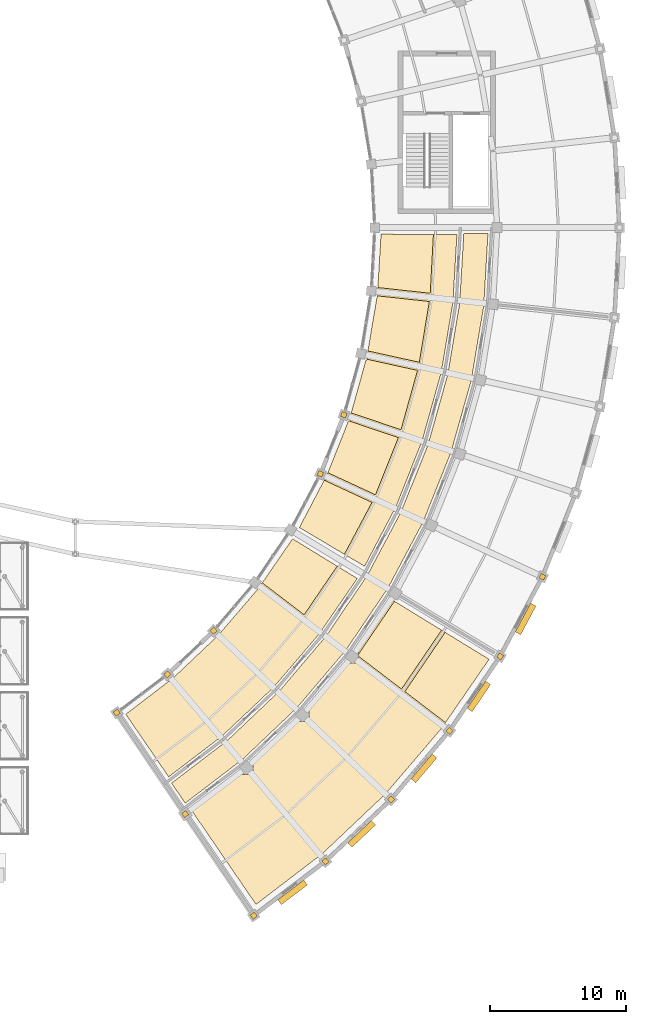
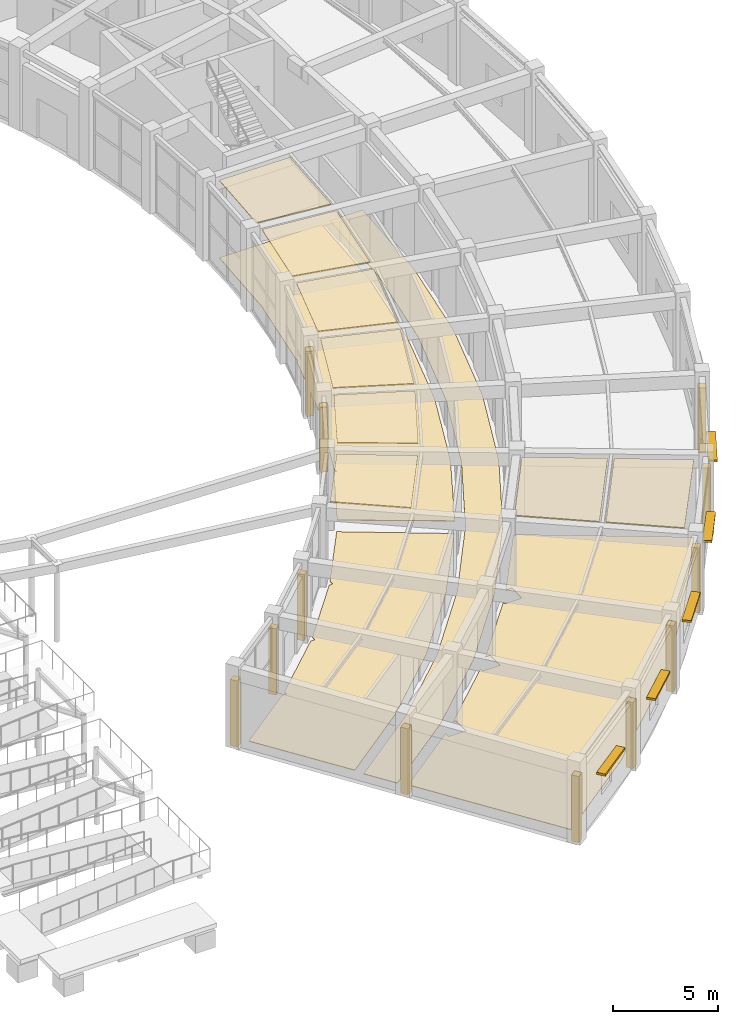
# One storey, part 106 of 108: 24 coverings, 5 shading devices.
"""IFC4 building model written with IfcOpenShell, lengths in metres."""

from ifc_helpers import new_model, si_unit, direction, frame, origin, origin_2d, place, context, subcontext, project, spatial, polyline, rectangle, outline, extrude, material, layer, layer_set, type_object, element, save


model = new_model("IFC4")

# Units and contexts
model_context = context("Model", 3, precision=1e-05, world=origin(), true_north=direction((0.0, 1.0)))
body_context = subcontext(model_context, "Body", "Model", "MODEL_VIEW")
ifc_project = project(units=[si_unit("LENGTHUNIT", "METRE"), si_unit("AREAUNIT", "SQUARE_METRE"), si_unit("VOLUMEUNIT", "CUBIC_METRE"), si_unit("PLANEANGLEUNIT", "RADIAN"), si_unit("MASSUNIT", "GRAM", prefix="KILO")], contexts=[model_context])

# Site, building, storey
site_placement = place(None, origin())
site = spatial("IfcSite", under=ifc_project, at=site_placement, CompositionType="ELEMENT")
building_placement = place(site_placement, origin())
building = spatial("IfcBuilding", under=site, at=building_placement, Name="Tarnveldt Headland Concert Hall", CompositionType="ELEMENT")
storey_placement = place(building_placement, origin())
storey = spatial("IfcBuildingStorey", under=building, at=storey_placement, Name="L00", CompositionType="ELEMENT", Elevation=0.0)

# Coverings
ifc_material_1 = material(Name="Micro-perforated mvule acoustic ceiling panel", Category="timber")
ifc_layer_1 = layer(ifc_material_1, 0.050048828125, Name="Micro-perforated mvule acoustic ceiling panel", Category="timber")
ifc_layer_set_1 = layer_set([ifc_layer_1], Name="Micro-perforated mvule acoustic ceiling panel")
covering_type_1 = type_object("IfcCoveringType", Name="CV-CEIL50", PredefinedType="CEILING", material=ifc_layer_set_1)
covering_1_placement = place(storey_placement, frame((0.0, 0.0, 4.469970703125)))
element("IfcCovering", 1, at=covering_1_placement, inside=storey, type_object=covering_type_1, Name="Acoustic mvule ceiling L00-40-99", PredefinedType="CEILING", context=body_context, shape_type="SweptSolid", body=[
    extrude(outline(polyline([(155.31640625, 31.540283203125), (152.239013671875, 33.8876953125), (154.46630859375, 37.1259765625), (157.74755859375, 35.114501953125), (155.31640625, 31.540283203125)])), origin(), (0.0, 0.0, 1.0), 0.050048828125),
])
covering_2_placement = place(storey_placement, frame((0.0, 0.0, 4.469970703125)))
element("IfcCovering", 2, at=covering_2_placement, inside=storey, type_object=covering_type_1, Name="Acoustic mvule ceiling L00-41-100", PredefinedType="CEILING", context=body_context, shape_type="SweptSolid", body=[
    extrude(outline(polyline([(159.865478515625, 50.28369140625), (159.939697265625, 50.28369140625), (159.939697265625, 50.322265625), (163.650390625, 49.50341796875), (162.43603515625, 45.14111328125), (158.778076171875, 46.376708984375), (159.865478515625, 50.28369140625)])), origin(), (0.0, 0.0, 1.0), 0.050048828125),
])
covering_3_placement = place(storey_placement, frame((0.0, 0.0, 4.469970703125)))
element("IfcCovering", 3, at=covering_3_placement, inside=storey, type_object=covering_type_1, Name="Acoustic mvule ceiling L00-41-101", PredefinedType="CEILING", context=body_context, shape_type="SweptSolid", body=[
    extrude(outline(polyline([(163.781982421875, 50.09912109375), (160.006103515625, 50.93212890625), (160.667724609375, 54.889404296875), (160.69677734375, 54.889404296875), (160.69677734375, 54.9833984375), (164.516357421875, 54.567138671875), (163.781982421875, 50.09912109375)])), origin(), (0.0, 0.0, 1.0), 0.050048828125),
])
covering_4_placement = place(storey_placement, frame((0.0, 0.0, 4.469970703125)))
element("IfcCovering", 4, at=covering_4_placement, inside=storey, type_object=covering_type_1, Name="Acoustic mvule ceiling L00-41-102", PredefinedType="CEILING", context=body_context, shape_type="SweptSolid", body=[
    extrude(outline(polyline([(164.58251953125, 55.173583984375), (160.733154296875, 55.59326171875), (160.968505859375, 59.5166015625), (164.81689453125, 59.489501953125), (164.58251953125, 55.173583984375)])), origin(), (0.0, 0.0, 1.0), 0.050048828125),
])
covering_5_placement = place(storey_placement, frame((0.0, 0.0, 4.469970703125)))
element("IfcCovering", 5, at=covering_5_placement, inside=storey, type_object=covering_type_1, Name="Acoustic mvule ceiling L00-41-103", PredefinedType="CEILING", context=body_context, shape_type="SweptSolid", body=[
    extrude(outline(polyline([(157.063720703125, 41.980712890625), (158.572265625, 45.787353515625), (158.6171875, 45.787353515625), (162.240966796875, 44.56298828125), (160.56103515625, 40.358154296875), (157.063720703125, 41.980712890625)])), origin(), (0.0, 0.0, 1.0), 0.050048828125),
])
covering_6_placement = place(storey_placement, frame((0.0, 0.0, 4.469970703125)))
element("IfcCovering", 6, at=covering_6_placement, inside=storey, type_object=covering_type_1, Name="Acoustic mvule ceiling L00-41-104", PredefinedType="CEILING", context=body_context, shape_type="SweptSolid", body=[
    extrude(outline(polyline([(158.27490234375, 35.98828125), (154.966064453125, 37.953857421875), (156.791748046875, 41.434326171875), (160.30419921875, 39.8046875), (158.27490234375, 35.98828125)])), origin(), (0.0, 0.0, 1.0), 0.050048828125),
])
covering_7_placement = place(storey_placement, frame((0.0, 0.0, 4.469970703125)))
element("IfcCovering", 7, at=covering_7_placement, inside=storey, type_object=covering_type_1, Name="Acoustic mvule ceiling L00-43-107", PredefinedType="CEILING", context=body_context, shape_type="SweptSolid", body=[
    extrude(outline(polyline([(162.719482421875, 25.89404296875), (165.682373046875, 30.25), (168.908203125, 28.272216796875), (165.70556640625, 23.616455078125), (162.719482421875, 25.89404296875)])), origin(), (0.0, 0.0, 1.0), 0.050048828125),
])
covering_8_placement = place(storey_placement, frame((0.0, 0.0, 4.469970703125)))
element("IfcCovering", 8, at=covering_8_placement, inside=storey, type_object=covering_type_1, Name="Acoustic mvule ceiling L00-43-108", PredefinedType="CEILING", context=body_context, shape_type="SweptSolid", body=[
    extrude(outline(polyline([(159.3212890625, 28.6650390625), (161.9541015625, 32.53564453125), (165.417724609375, 30.412109375), (162.47265625, 26.082275390625), (159.3212890625, 28.48583984375), (159.3212890625, 28.6650390625)])), origin(), (0.0, 0.0, 1.0), 0.050048828125),
])
ifc_material_2 = material(Name="Polished coral-aggregate cementitious terrazzo flooring", Category="concrete")
ifc_layer_2 = layer(ifc_material_2, 0.034912109375, Name="Polished coral-aggregate cementitious terrazzo flooring", Category="concrete")
ifc_layer_set_2 = layer_set([ifc_layer_2], Name="Polished coral-aggregate cementitious terrazzo flooring")
covering_type_2 = type_object("IfcCoveringType", Name="CV-FLOR35", PredefinedType="FLOORING", material=ifc_layer_set_2)
covering_9_placement = place(storey_placement, origin())
element("IfcCovering", 9, at=covering_9_placement, inside=storey, type_object=covering_type_2, Name="Architectural flooring L00-37-28", PredefinedType="FLOORING", context=body_context, shape_type="SweptSolid", body=[
    extrude(outline(polyline([(149.66455078125, 22.2958984375), (153.5087890625, 25.947998046875), (153.522216796875, 25.962158203125), (156.95263671875, 30.005615234375), (156.96435546875, 30.02099609375), (159.94140625, 34.408935546875), (159.951416015625, 34.425537109375), (162.440673828125, 39.107421875), (162.448974609375, 39.125), (164.421875, 44.046630859375), (164.427978515625, 44.06494140625), (165.862060546875, 49.169921875), (165.8662109375, 49.18896484375), (166.744384765625, 54.418212890625), (166.74658203125, 54.4375), (167.048828125, 59.560546875), (168.828369140625, 59.55126953125), (168.51416015625, 54.227783203125), (167.601318359375, 48.791015625), (166.1103515625, 43.483154296875), (164.05908203125, 38.3662109375), (161.470703125, 33.498291015625), (158.377685546875, 28.939453125), (158.371337890625, 28.939453125), (158.371337890625, 28.93115234375), (154.80908203125, 24.732421875), (154.716064453125, 24.64404296875), (154.709716796875, 24.64404296875), (154.709716796875, 24.637939453125), (150.812255859375, 20.93505859375), (146.57470703125, 17.69775390625), (145.57177734375, 19.167724609375), (149.64990234375, 22.283203125), (149.66455078125, 22.2958984375)])), origin(), (0.0, 0.0, 1.0), 0.034912109375),
])
covering_10_placement = place(storey_placement, origin())
element("IfcCovering", 10, at=covering_10_placement, inside=storey, type_object=covering_type_2, Name="Architectural flooring L00-40-30", PredefinedType="FLOORING", context=body_context, shape_type="SweptSolid", body=[
    extrude(outline(polyline([(145.71728515625, 26.921875), (148.884521484375, 29.92041015625), (149.1123046875, 29.92041015625), (149.1123046875, 30.15869140625), (151.947265625, 33.47265625), (152.14013671875, 33.47265625), (152.14013671875, 33.743896484375), (154.46630859375, 37.1259765625), (159.22314453125, 34.209716796875), (156.404296875, 30.11181640625), (153.053955078125, 26.195068359375), (149.31103515625, 22.6513671875), (145.3603515625, 19.629638671875), (142.2080078125, 24.2333984375), (145.455810546875, 26.717529296875), (145.71728515625, 26.717529296875), (145.71728515625, 26.921875)])), origin(), (0.0, 0.0, 1.0), 0.034912109375),
])
covering_11_placement = place(storey_placement, origin())
element("IfcCovering", 11, at=covering_11_placement, inside=storey, type_object=covering_type_2, Name="Architectural flooring L00-41-31", PredefinedType="FLOORING", context=body_context, shape_type="SweptSolid", body=[
    extrude(outline(polyline([(157.013916015625, 41.85791015625), (157.021728515625, 41.875244140625), (158.572265625, 45.787353515625), (158.68798828125, 45.787353515625), (158.68798828125, 46.07958984375), (158.708984375, 46.13232421875), (158.715087890625, 46.150390625), (159.865478515625, 50.28369140625), (159.939697265625, 50.28369140625), (159.939697265625, 50.5498046875), (159.943115234375, 50.561767578125), (159.947021484375, 50.580322265625), (160.667724609375, 54.889404296875), (160.69677734375, 54.889404296875), (160.69677734375, 55.062744140625), (160.702392578125, 55.096923828125), (160.70458984375, 55.115966796875), (160.968505859375, 59.5166015625), (166.5478515625, 59.4775390625), (166.248046875, 54.478515625), (165.392333984375, 49.361083984375), (164.0009765625, 44.36279296875), (162.089599609375, 39.539306640625), (159.762939453125, 35.1044921875), (154.966064453125, 37.953857421875), (156.801513671875, 41.452880859375), (156.956298828125, 41.452880859375), (156.956298828125, 41.748291015625), (157.013916015625, 41.85791015625)])), origin(), (0.0, 0.0, 1.0), 0.034912109375),
])
covering_12_placement = place(storey_placement, origin())
element("IfcCovering", 12, at=covering_12_placement, inside=storey, type_object=covering_type_2, Name="Architectural flooring L00-43-33", PredefinedType="FLOORING", context=body_context, shape_type="SweptSolid", body=[
    extrude(outline(polyline([(154.709716796875, 23.91162109375), (154.709716796875, 23.694091796875), (155.65966796875, 23.694091796875), (155.65966796875, 24.64404296875), (155.407470703125, 24.64404296875), (158.371337890625, 28.10888671875), (158.371337890625, 27.989501953125), (159.3212890625, 27.989501953125), (159.3212890625, 28.939453125), (158.992431640625, 28.939453125), (161.54931640625, 32.656494140625), (161.756591796875, 32.656494140625), (168.908203125, 28.272216796875), (165.595458984375, 23.45654296875), (165.552490234375, 23.45654296875), (165.552490234375, 23.393798828125), (165.412841796875, 23.19091796875), (161.32958984375, 18.41748046875), (161.257080078125, 18.41748046875), (161.257080078125, 18.33935546875), (156.677001953125, 14.003173828125), (156.5078125, 13.873779296875), (156.44091796875, 13.873779296875), (156.44091796875, 13.822509765625), (151.7783203125, 10.25634765625), (147.052978515625, 17.157470703125), (147.052978515625, 17.364990234375), (147.002685546875, 17.364990234375), (150.604248046875, 20.11962890625), (150.604248046875, 19.820556640625), (151.55419921875, 19.820556640625), (151.55419921875, 20.7705078125), (151.39208984375, 20.7705078125), (154.709716796875, 23.91162109375)])), origin(), (0.0, 0.0, 1.0), 0.034912109375),
])
ifc_material_3 = material(Name="Coral-toned precast concrete C40/50", Category="concrete")
ifc_layer_3 = layer(ifc_material_3, 0.360107421875, Name="Coral-toned precast concrete C40/50", Category="concrete")
ifc_layer_set_3 = layer_set([ifc_layer_3], Name="Coral-toned precast concrete C40/50")
covering_type_3 = type_object("IfcCoveringType", Name="CV-JNT360", PredefinedType="CLADDING", material=ifc_layer_set_3)
for number, where, z_axis, x_axis, name in (
    (13, (141.54541015625, 24.351318359375, 0.0), (0.0, 0.0, 1.0), (-0.559192903471, 0.829037572555, 0.0), "Precast facade joint closure pilaster L00-161"),
    (14, (145.267333984375, 27.16748046875, 0.0), (0.0, 0.0, 1.0), (0.727413564262, 0.686199319824, 0.0), "Precast facade joint closure pilaster L00-163"),
    (15, (146.577880859375, 16.889892578125, 0.0), (0.0, 0.0, 1.0), (-0.559192903471, 0.829037572555, 0.0), "Precast facade joint closure pilaster L00-165"),
    (16, (148.662353515625, 30.37060546875, 0.0), (0.0, 0.0, 1.0), (0.727413564262, 0.686199319824, 0.0), "Precast facade joint closure pilaster L00-167"),
    (17, (151.61083984375, 9.4287109375, 0.0), (0.0, 0.0, 1.0), (-0.797478637023, -0.603347183213, 0.0), "Precast facade joint closure pilaster L00-168"),
):
    element("IfcCovering", number, at=place(storey_placement, frame(where, z_axis=z_axis, x_axis=x_axis)), inside=storey, type_object=covering_type_3, Name=name, PredefinedType="CLADDING", context=body_context, shape_type="SweptSolid", body=[
        extrude(rectangle(XDim=0.3798828125, YDim=0.3798828125, at=origin_2d()), origin(), (0.0, 0.0, 1.0), 3.827880859375),
    ])
covering_13_placement = place(storey_placement, frame((156.50634765625, 41.903076171875, 0.0), z_axis=(0.0, 0.0, 1.0), x_axis=(0.371043710237, 0.928615402141, 0.0)))
element("IfcCovering", 18, at=covering_13_placement, inside=storey, type_object=covering_type_3, Name="Precast facade joint closure pilaster L00-170", PredefinedType="CLADDING", context=body_context, shape_type="SweptSolid", body=[
    extrude(rectangle(XDim=0.3798828125, YDim=0.3798828125, at=origin_2d()), origin(), (0.0, 0.0, 1.0), 3.758056640625),
])
covering_14_placement = place(storey_placement, frame((156.89111328125, 13.423583984375, 0.0), z_axis=(0.0, 0.0, 1.0), x_axis=(-0.797478637023, -0.603347183213, 0.0)))
element("IfcCovering", 19, at=covering_14_placement, inside=storey, type_object=covering_type_3, Name="Precast facade joint closure pilaster L00-171", PredefinedType="CLADDING", context=body_context, shape_type="SweptSolid", body=[
    extrude(rectangle(XDim=0.3798828125, YDim=0.3798828125, at=origin_2d()), origin(), (0.0, 0.0, 1.0), 3.827880859375),
])
covering_15_placement = place(storey_placement, frame((158.238037109375, 46.2373046875, 0.0), z_axis=(0.0, 0.0, 1.0), x_axis=(0.371043710237, 0.928615402141, 0.0)))
element("IfcCovering", 20, at=covering_15_placement, inside=storey, type_object=covering_type_3, Name="Precast facade joint closure pilaster L00-173", PredefinedType="CLADDING", context=body_context, shape_type="SweptSolid", body=[
    extrude(rectangle(XDim=0.3798828125, YDim=0.3798828125, at=origin_2d()), origin(), (0.0, 0.0, 1.0), 3.758056640625),
])
covering_16_placement = place(storey_placement, frame((161.70703125, 17.967529296875, 0.0), z_axis=(0.0, 0.0, 1.0), x_axis=(-0.727413564262, -0.686199319824, 0.0)))
element("IfcCovering", 21, at=covering_16_placement, inside=storey, type_object=covering_type_3, Name="Precast facade joint closure pilaster L00-176", PredefinedType="CLADDING", context=body_context, shape_type="SweptSolid", body=[
    extrude(rectangle(XDim=0.3798828125, YDim=0.3798828125, at=origin_2d()), origin(), (0.0, 0.0, 1.0), 3.827880859375),
])
for number, where, z_axis, x_axis, name in (
    (22, (166.00244140625, 23.006591796875, 0.0), (0.0, 0.0, 1.0), (-0.648651397111, -0.761085648942, 0.0), "Precast facade joint closure pilaster L00-178"),
    (23, (169.726318359375, 28.481201171875, 0.0), (0.0, 0.0, 1.0), (-0.562372049186, -0.826884319778, 0.0), "Precast facade joint closure pilaster L00-180"),
    (24, (172.834716796875, 34.327392578125, 0.0), (0.0, 0.0, 1.0), (-0.469471562786, -0.882947592859, 0.0), "Precast facade joint closure pilaster L00-182"),
):
    element("IfcCovering", number, at=place(storey_placement, frame(where, z_axis=z_axis, x_axis=x_axis)), inside=storey, type_object=covering_type_3, Name=name, PredefinedType="CLADDING", context=body_context, shape_type="SweptSolid", body=[
        extrude(rectangle(XDim=0.3798828125, YDim=0.3798828125, at=origin_2d()), origin(), (0.0, 0.0, 1.0), 3.758056640625),
    ])

# Shading devices
ifc_material_4 = material(Name="Terracotta-anodised aluminium EN AW-6063-T6", Category="masonry")
shading_device_type = type_object("IfcShadingDeviceType", Name="SD-LVR450", PredefinedType="USERDEFINED", material=ifc_material_4)
for number, where, z_axis, x_axis, name in (
    (25, (154.466552734375, 11.14111328125, 2.469970703125), (0.0, 0.0, 1.0), (0.603347183213, -0.797478637023, 0.0), "Crescent coastal solar louvre L00-1"),
    (26, (159.54443359375, 15.435546875, 2.469970703125), (0.0, 0.0, 1.0), (0.686199319824, -0.727413564262, 0.0), "Crescent coastal solar louvre L00-2"),
    (27, (164.126708984375, 20.255126953125, 2.469970703125), (0.0, 0.0, 1.0), (0.761085648942, -0.648651397111, 0.0), "Crescent coastal solar louvre L00-3"),
    (28, (168.159912109375, 25.542724609375, 2.469970703125), (0.0, 0.0, 1.0), (0.826884319778, -0.562372049186, 0.0), "Crescent coastal solar louvre L00-4"),
    (29, (171.59619140625, 31.236572265625, 2.469970703125), (0.0, 0.0, 1.0), (0.882947592859, -0.469471562786, 0.0), "Crescent coastal solar louvre L00-5"),
):
    element("IfcShadingDevice", number, at=place(storey_placement, frame(where, z_axis=z_axis, x_axis=x_axis)), inside=storey, type_object=shading_device_type, Name=name, ObjectType="LOUVRE", PredefinedType="USERDEFINED", context=body_context, shape_type="SweptSolid", body=[
        extrude(rectangle(XDim=0.449951171875, YDim=2.39990234375, at=origin_2d()), origin(), (0.0, 0.0, 1.0), 0.1201171875),
    ])

save(model, "model.ifc")
